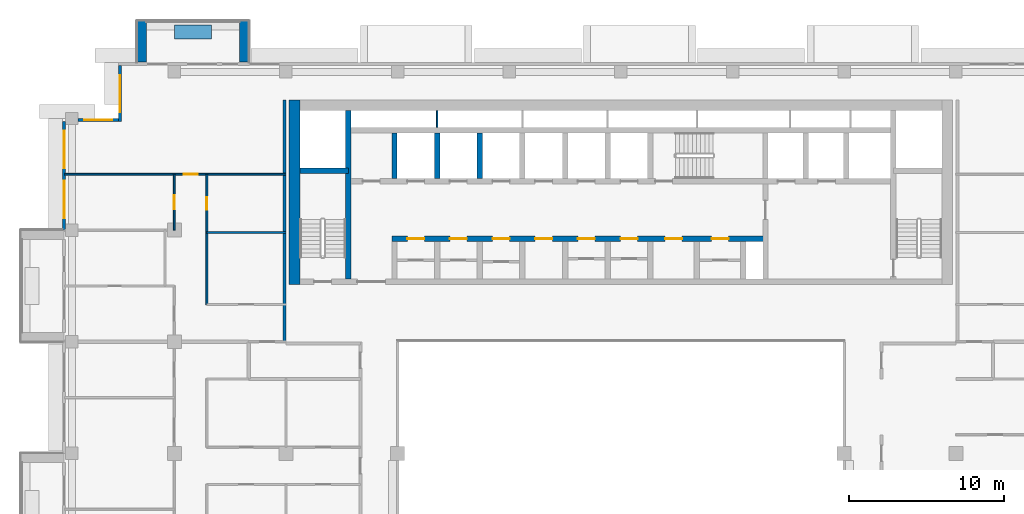
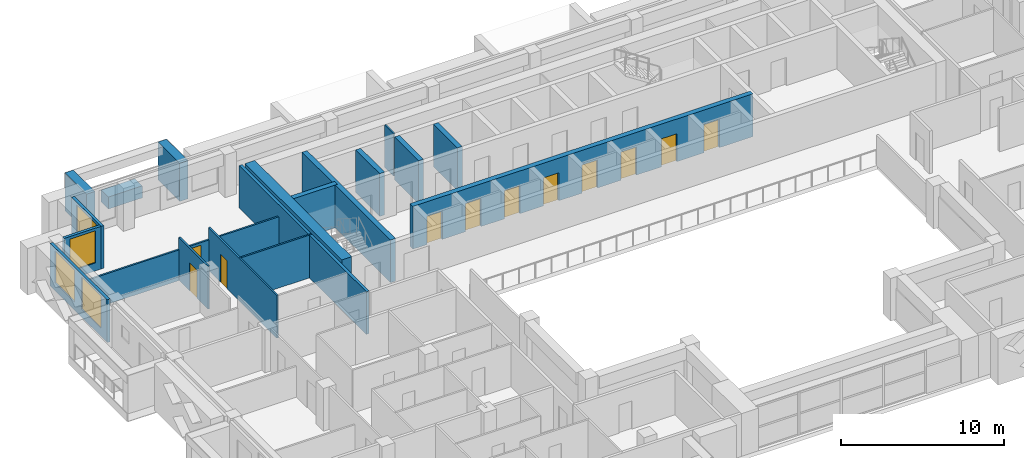
# One storey, part 10 of 20: 19 walls, 11 doors, 4 windows, 15 openings.
"""IFC4 building model written with IfcOpenShell, lengths in metres."""

from ifc_helpers import new_model, si_unit, direction, frame, frame_2d, origin, place, context, subcontext, project, spatial, rectangle, extrude, material, layer, layer_set, type_object, element, fill, save


model = new_model("IFC4")

# Units and contexts
model_context = context("Model", 3, precision=1e-05, world=origin(), true_north=direction((0.0, 1.0)))
body_context = subcontext(model_context, "Body", "Model", "MODEL_VIEW")
ifc_project = project(units=[si_unit("LENGTHUNIT", "METRE"), si_unit("AREAUNIT", "SQUARE_METRE"), si_unit("VOLUMEUNIT", "CUBIC_METRE"), si_unit("PLANEANGLEUNIT", "RADIAN"), si_unit("MASSUNIT", "GRAM", prefix="KILO")], contexts=[model_context])

# Site, building, storey
site_placement = place(None, origin())
site = spatial("IfcSite", under=ifc_project, at=site_placement, CompositionType="ELEMENT")
building_placement = place(site_placement, origin())
building = spatial("IfcBuilding", under=site, at=building_placement, Name="Saffron Iwan Residences", CompositionType="ELEMENT")
storey_placement = place(building_placement, frame((0.0, 0.0, 195.5)))
storey = spatial("IfcBuildingStorey", under=building, at=storey_placement, Name="L52", CompositionType="ELEMENT", Elevation=195.5)

# Walls
ifc_material_1 = material(Name="Concrete C50/60 white painted", Category="concrete")
ifc_layer_1 = layer(ifc_material_1, 0.60009765625)
ifc_layer_set_1 = layer_set([ifc_layer_1], Name="Concrete C50/60 white painted")
wall_type_1 = type_object("IfcWallType", Name="BALCONY FIN 600", PredefinedType="SOLIDWALL", material=ifc_layer_set_1)
for number, where, z_axis, x_axis, name in (
    (1, (26.10009765625, 80.449951171875, 0.0), (0.0, 0.0, 1.0), (0.0, 1.0, 0.0), "Balcony fin L52 F5-3a"),
    (2, (19.5, 80.449951171875, 0.0), (0.0, 0.0, 1.0), (0.0, 1.0, 0.0), "Balcony fin L52 F5-3b"),
):
    element("IfcWall", number, at=place(storey_placement, frame(where, z_axis=z_axis, x_axis=x_axis)), inside=storey, type_object=wall_type_1, Name=name, PredefinedType="SOLIDWALL", context=body_context, shape_type="SweptSolid", body=[
        extrude(rectangle(XDim=2.650146484375, YDim=0.60009765625, at=frame_2d((1.3251953125, 0.0))), origin(), (0.0, 0.0, 1.0), 2.85009765625),
    ])
ifc_material_2 = material(Name="Concrete C35/45 white painted", Category="concrete")
ifc_layer_2 = layer(ifc_material_2, 0.14990234375)
ifc_layer_set_2 = layer_set([ifc_layer_2], Name="Concrete C35/45 white painted")
wall_type_2 = type_object("IfcWallType", Name="BALCONY PLANTER", PredefinedType="SOLIDWALL", material=ifc_layer_set_2)
wall_1_placement = place(storey_placement, frame((24.0, 82.375, 0.0), z_axis=(0.0, 0.0, 1.0), x_axis=(-1.0, 0.0, 0.0)))
element("IfcWall", 3, at=wall_1_placement, inside=storey, type_object=wall_type_2, Name="PLANTER L52 F5-3", PredefinedType="SOLIDWALL", context=body_context, shape_type="SweptSolid", body=[
    extrude(rectangle(XDim=2.39990234375, YDim=0.89990234375, at=frame_2d((1.199951171875, 0.0))), origin(), (0.0, 0.0, 1.0), 0.89990234375),
])

# Wall, opening, window
ifc_material_3 = material(Name="Concrete C40/50", Category="concrete")
ifc_layer_3 = layer(ifc_material_3, 0.199951171875)
ifc_layer_set_3 = layer_set([ifc_layer_3], Name="Concrete C40/50")
wall_type_3 = type_object("IfcWallType", Name="EXTERNAL WALL 200", PredefinedType="SOLIDWALL", material=ifc_layer_set_3)
wall_2_placement = place(storey_placement, frame((18.10009765625, 80.199951171875, 0.0), z_axis=(0.0, 0.0, 1.0), x_axis=(0.0, -1.0, 0.0)))
wall_2 = element("IfcWall", 4, at=wall_2_placement, inside=storey, type_object=wall_type_3, Name="External wall L52 F6.0", PredefinedType="SOLIDWALL", context=body_context, shape_type="SweptSolid", body=[
    extrude(rectangle(XDim=3.599853515625, YDim=0.199951171875, at=frame_2d((1.7998046875, 0.0))), origin(), (0.0, 0.0, 1.0), 3.199951171875),
])
opening_1_placement = place(wall_2_placement, frame((0.60009765625, 0.0, 0.60009765625)))
opening_1 = element("IfcOpeningElement", 5, at=opening_1_placement, cuts=wall_2, Name="Opening W1", PredefinedType="OPENING", context=body_context, shape_type="SweptSolid", body=[
    extrude(rectangle(XDim=2.39990234375, YDim=2.39990234375, at=frame_2d((1.199951171875, 1.199951171875))), frame((0.0, 0.10986328125, 0.0), z_axis=(0.0, -1.0, 0.0), x_axis=(1.0, 0.0, 0.0)), (0.0, 0.0, 1.0), 0.219970703125),
])
ifc_material_4 = material(Name="Clear glass, laminated double glazed", Category="glass")
window_type_1 = type_object("IfcWindowType", Name="WINDOW 2400 x 2400", PartitioningType="DOUBLE_PANEL_VERTICAL", PredefinedType="WINDOW", material=ifc_material_4)
window_1_placement = place(opening_1_placement, origin())
window_1 = element("IfcWindow", 6, at=window_1_placement, inside=storey, type_object=window_type_1, Name="Window L52 F6.0", OverallHeight=2.39990234375, OverallWidth=2.39990234375, PartitioningType="DOUBLE_PANEL_VERTICAL", PredefinedType="WINDOW", context=body_context, shape_type="SweptSolid", body=[
    extrude(rectangle(XDim=2.39990234375, YDim=2.39990234375, at=frame_2d((1.199951171875, 1.199951171875))), frame((0.0, 0.030029296875, 0.0), z_axis=(0.0, -1.0, 0.0), x_axis=(1.0, 0.0, 0.0)), (0.0, 0.0, 1.0), 0.06005859375),
])
fill(opening_1, window_1)

wall_3_placement = place(storey_placement, frame((18.0, 76.699951171875, 0.0), z_axis=(0.0, 0.0, 1.0), x_axis=(-1.0, 0.0, 0.0)))
wall_3 = element("IfcWall", 7, at=wall_3_placement, inside=storey, type_object=wall_type_3, Name="External wall L52 F7.0", PredefinedType="SOLIDWALL", context=body_context, shape_type="SweptSolid", body=[
    extrude(rectangle(XDim=2.60009765625, YDim=0.199951171875, at=frame_2d((1.300048828125, 0.0))), origin(), (0.0, 0.0, 1.0), 3.199951171875),
])
opening_2_placement = place(wall_3_placement, frame((0.39990234375, 0.0, 0.60009765625)))
opening_2 = element("IfcOpeningElement", 8, at=opening_2_placement, cuts=wall_3, Name="Opening W8", PredefinedType="OPENING", context=body_context, shape_type="SweptSolid", body=[
    extrude(rectangle(XDim=1.800048828125, YDim=2.39990234375, at=frame_2d((0.89990234375, 1.199951171875))), frame((0.0, 0.10986328125, 0.0), z_axis=(0.0, -1.0, 0.0), x_axis=(1.0, 0.0, 0.0)), (0.0, 0.0, 1.0), 0.219970703125),
])
window_type_2 = type_object("IfcWindowType", Name="WINDOW 1800 x 2400", PartitioningType="DOUBLE_PANEL_VERTICAL", PredefinedType="WINDOW", material=ifc_material_4)
window_2_placement = place(opening_2_placement, origin())
window_2 = element("IfcWindow", 9, at=window_2_placement, inside=storey, type_object=window_type_2, Name="Window L52 F7.0", OverallHeight=2.39990234375, OverallWidth=1.800048828125, PartitioningType="DOUBLE_PANEL_VERTICAL", PredefinedType="WINDOW", context=body_context, shape_type="SweptSolid", body=[
    extrude(rectangle(XDim=1.800048828125, YDim=2.39990234375, at=frame_2d((0.89990234375, 1.199951171875))), frame((0.0, 0.030029296875, 0.0), z_axis=(0.0, -1.0, 0.0), x_axis=(1.0, 0.0, 0.0)), (0.0, 0.0, 1.0), 0.06005859375),
])
fill(opening_2, window_2)

# Wall, openings, windows
wall_4_placement = place(storey_placement, frame((14.5, 76.60009765625, 0.0), z_axis=(0.0, 0.0, 1.0), x_axis=(0.0, -1.0, 0.0)))
wall_4 = element("IfcWall", 10, at=wall_4_placement, inside=storey, type_object=wall_type_3, Name="External wall L52 F8.0", PredefinedType="SOLIDWALL", context=body_context, shape_type="SweptSolid", body=[
    extrude(rectangle(XDim=7.0, YDim=0.199951171875, at=frame_2d((3.5, 0.0))), origin(), (0.0, 0.0, 1.0), 3.199951171875),
])
opening_3_placement = place(wall_4_placement, frame((3.824951171875, 0.0, 0.60009765625)))
opening_3 = element("IfcOpeningElement", 11, at=opening_3_placement, cuts=wall_4, Name="Opening W1", PredefinedType="OPENING", context=body_context, shape_type="SweptSolid", body=[
    extrude(rectangle(XDim=2.39990234375, YDim=2.39990234375, at=frame_2d((1.199951171875, 1.199951171875))), frame((0.0, 0.10986328125, 0.0), z_axis=(0.0, -1.0, 0.0), x_axis=(1.0, 0.0, 0.0)), (0.0, 0.0, 1.0), 0.219970703125),
])
opening_4_placement = place(wall_4_placement, frame((0.60009765625, 0.0, 0.60009765625)))
opening_4 = element("IfcOpeningElement", 12, at=opening_4_placement, cuts=wall_4, Name="Opening W1", PredefinedType="OPENING", context=body_context, shape_type="SweptSolid", body=[
    extrude(rectangle(XDim=2.39990234375, YDim=2.39990234375, at=frame_2d((1.199951171875, 1.199951171875))), frame((0.0, 0.10986328125, 0.0), z_axis=(0.0, -1.0, 0.0), x_axis=(1.0, 0.0, 0.0)), (0.0, 0.0, 1.0), 0.219970703125),
])
window_3_placement = place(opening_3_placement, origin())
window_3 = element("IfcWindow", 13, at=window_3_placement, inside=storey, type_object=window_type_1, Name="Window L52 F8.0", OverallHeight=2.39990234375, OverallWidth=2.39990234375, PartitioningType="DOUBLE_PANEL_VERTICAL", PredefinedType="WINDOW", context=body_context, shape_type="SweptSolid", body=[
    extrude(rectangle(XDim=2.39990234375, YDim=2.39990234375, at=frame_2d((1.199951171875, 1.199951171875))), frame((0.0, 0.030029296875, 0.0), z_axis=(0.0, -1.0, 0.0), x_axis=(1.0, 0.0, 0.0)), (0.0, 0.0, 1.0), 0.06005859375),
])
fill(opening_3, window_3)
window_4_placement = place(opening_4_placement, origin())
window_4 = element("IfcWindow", 14, at=window_4_placement, inside=storey, type_object=window_type_1, Name="Window L52 F8.1", OverallHeight=2.39990234375, OverallWidth=2.39990234375, PartitioningType="DOUBLE_PANEL_VERTICAL", PredefinedType="WINDOW", context=body_context, shape_type="SweptSolid", body=[
    extrude(rectangle(XDim=2.39990234375, YDim=2.39990234375, at=frame_2d((1.199951171875, 1.199951171875))), frame((0.0, 0.030029296875, 0.0), z_axis=(0.0, -1.0, 0.0), x_axis=(1.0, 0.0, 0.0)), (0.0, 0.0, 1.0), 0.06005859375),
])
fill(opening_4, window_4)

# Wall
ifc_material_5 = material(Name="Gypsum board partition")
ifc_layer_4 = layer(ifc_material_5, 0.1201171875)
ifc_layer_set_4 = layer_set([ifc_layer_4], Name="Gypsum board partition")
wall_type_4 = type_object("IfcWallType", Name="Flat partition 120", PredefinedType="PARTITIONING", material=ifc_layer_set_4)
wall_5_placement = place(storey_placement, frame((23.699951171875, 69.449951171875, 0.0), z_axis=(0.0, 0.0, 1.0), x_axis=(1.0, 0.0, 0.0)))
element("IfcWall", 15, at=wall_5_placement, inside=storey, type_object=wall_type_4, Name="W-L52-PART-h69.45-23.7", PredefinedType="PARTITIONING", context=body_context, shape_type="SweptSolid", body=[
    extrude(rectangle(XDim=5.10009765625, YDim=0.1201171875, at=frame_2d((2.550048828125, 0.0))), origin(), (0.0, 0.0, 1.0), 3.199951171875),
])

# Wall, opening, door
wall_6_placement = place(storey_placement, frame((14.52490234375, 73.199951171875, 0.0), z_axis=(0.0, 0.0, 1.0), x_axis=(1.0, 0.0, 0.0)))
wall_6 = element("IfcWall", 16, at=wall_6_placement, inside=storey, type_object=wall_type_4, Name="W-L52-PART-h73.2-14.525", PredefinedType="PARTITIONING", context=body_context, shape_type="SweptSolid", body=[
    extrude(rectangle(XDim=14.275146484375, YDim=0.1201171875, at=frame_2d((7.1376953125, 0.0))), origin(), (0.0, 0.0, 1.0), 2.300048828125),
])
opening_5_placement = place(wall_6_placement, frame((7.675048828125, 0.0, 0.0)))
opening_5 = element("IfcOpeningElement", 17, at=opening_5_placement, cuts=wall_6, Name="Opening FD2", PredefinedType="OPENING", context=body_context, shape_type="SweptSolid", body=[
    extrude(rectangle(XDim=0.89990234375, YDim=2.10009765625, at=frame_2d((0.449951171875, 1.050048828125))), frame((0.0, 0.070068359375, 0.0), z_axis=(0.0, -1.0, 0.0), x_axis=(1.0, 0.0, 0.0)), (0.0, 0.0, 1.0), 0.14013671875),
])
ifc_material_6 = material(Name="Timber door", Category="wood")
door_type_1 = type_object("IfcDoorType", Name="Flat door 900", OperationType="NOTDEFINED", PredefinedType="DOOR", material=ifc_material_6)
door_1_placement = place(opening_5_placement, origin())
door_1 = element("IfcDoor", 18, at=door_1_placement, inside=storey, type_object=door_type_1, Name="Door L52-029", OperationType="SINGLE_SWING_LEFT", OverallHeight=2.10009765625, OverallWidth=0.89990234375, PredefinedType="DOOR", context=body_context, shape_type="SweptSolid", body=[
    extrude(rectangle(XDim=0.89990234375, YDim=2.10009765625, at=frame_2d((0.449951171875, 1.050048828125))), frame((0.0, 0.02490234375, 0.0), z_axis=(0.0, -1.0, 0.0), x_axis=(1.0, 0.0, 0.0)), (0.0, 0.0, 1.0), 0.050048828125),
])
fill(opening_5, door_1)

wall_7_placement = place(storey_placement, frame((21.60009765625, 69.60009765625, 0.0), z_axis=(0.0, 0.0, 1.0), x_axis=(0.0, 1.0, 0.0)))
wall_7 = element("IfcWall", 19, at=wall_7_placement, inside=storey, type_object=wall_type_4, Name="W-L52-PART-v21.6-69.6", PredefinedType="PARTITIONING", context=body_context, shape_type="SweptSolid", body=[
    extrude(rectangle(XDim=3.599853515625, YDim=0.1201171875, at=frame_2d((1.7998046875, 0.0))), origin(), (0.0, 0.0, 1.0), 3.199951171875),
])
opening_6_placement = place(wall_7_placement, frame((1.35009765625, 0.0, 0.0)))
opening_6 = element("IfcOpeningElement", 20, at=opening_6_placement, cuts=wall_7, Name="Opening FD2", PredefinedType="OPENING", context=body_context, shape_type="SweptSolid", body=[
    extrude(rectangle(XDim=0.89990234375, YDim=2.10009765625, at=frame_2d((0.449951171875, 1.050048828125))), frame((0.0, 0.070068359375, 0.0), z_axis=(0.0, -1.0, 0.0), x_axis=(1.0, 0.0, 0.0)), (0.0, 0.0, 1.0), 0.14013671875),
])
door_2_placement = place(opening_6_placement, origin())
door_2 = element("IfcDoor", 21, at=door_2_placement, inside=storey, type_object=door_type_1, Name="Door L52-028", OperationType="SINGLE_SWING_LEFT", OverallHeight=2.10009765625, OverallWidth=0.89990234375, PredefinedType="DOOR", context=body_context, shape_type="SweptSolid", body=[
    extrude(rectangle(XDim=0.89990234375, YDim=2.10009765625, at=frame_2d((0.449951171875, 1.050048828125))), frame((0.0, 0.02490234375, 0.0), z_axis=(0.0, -1.0, 0.0), x_axis=(1.0, 0.0, 0.0)), (0.0, 0.0, 1.0), 0.050048828125),
])
fill(opening_6, door_2)

wall_8_placement = place(storey_placement, frame((23.699951171875, 64.800048828125, 0.0), z_axis=(0.0, 0.0, 1.0), x_axis=(0.0, 1.0, 0.0)))
wall_8 = element("IfcWall", 22, at=wall_8_placement, inside=storey, type_object=wall_type_4, Name="W-L52-PART-v23.7-64.8", PredefinedType="PARTITIONING", context=body_context, shape_type="SweptSolid", body=[
    extrude(rectangle(XDim=8.39990234375, YDim=0.1201171875, at=frame_2d((4.199951171875, 0.0))), origin(), (0.0, 0.0, 1.0), 3.199951171875),
])
opening_7_placement = place(wall_8_placement, frame((6.125, 0.0, 0.0)))
opening_7 = element("IfcOpeningElement", 23, at=opening_7_placement, cuts=wall_8, Name="Opening FD3", PredefinedType="OPENING", context=body_context, shape_type="SweptSolid", body=[
    extrude(rectangle(XDim=0.800048828125, YDim=2.10009765625, at=frame_2d((0.39990234375, 1.050048828125))), frame((0.0, 0.070068359375, 0.0), z_axis=(0.0, -1.0, 0.0), x_axis=(1.0, 0.0, 0.0)), (0.0, 0.0, 1.0), 0.14013671875),
])
door_type_2 = type_object("IfcDoorType", Name="Bathroom door 800", OperationType="NOTDEFINED", PredefinedType="DOOR", material=ifc_material_6)
door_3_placement = place(opening_7_placement, origin())
door_3 = element("IfcDoor", 24, at=door_3_placement, inside=storey, type_object=door_type_2, Name="Door L52-031", OperationType="SINGLE_SWING_LEFT", OverallHeight=2.10009765625, OverallWidth=0.800048828125, PredefinedType="DOOR", context=body_context, shape_type="SweptSolid", body=[
    extrude(rectangle(XDim=0.800048828125, YDim=2.10009765625, at=frame_2d((0.39990234375, 1.050048828125))), frame((0.0, 0.02490234375, 0.0), z_axis=(0.0, -1.0, 0.0), x_axis=(1.0, 0.0, 0.0)), (0.0, 0.0, 1.0), 0.050048828125),
])
fill(opening_7, door_3)

# Walls
ifc_material_7 = material(Name="Fire-rated gypsum board wall")
ifc_layer_5 = layer(ifc_material_7, 0.199951171875)
ifc_layer_set_5 = layer_set([ifc_layer_5], Name="Fire-rated gypsum board wall")
wall_type_5 = type_object("IfcWallType", Name="Gallery wall 200", PredefinedType="SOLIDWALL", material=ifc_layer_set_5)
wall_9_placement = place(storey_placement, frame((28.699951171875, 62.39990234375, 0.0), z_axis=(0.0, 0.0, 1.0), x_axis=(0.0, 1.0, 0.0)))
element("IfcWall", 25, at=wall_9_placement, inside=storey, type_object=wall_type_5, Name="W-L52-CORR-v28.8-62.4", PredefinedType="SOLIDWALL", context=body_context, shape_type="SweptSolid", body=[
    extrude(rectangle(XDim=15.60009765625, YDim=0.199951171875, at=frame_2d((7.800048828125, 0.0))), origin(), (0.0, 0.0, 1.0), 3.199951171875),
])
ifc_material_8 = material(Name="Fire-rated plasterboard partition")
ifc_layer_6 = layer(ifc_material_8, 0.10009765625)
ifc_layer_set_6 = layer_set([ifc_layer_6], Name="Fire-rated plasterboard partition")
wall_type_6 = type_object("IfcWallType", Name="Riser partition 100", PredefinedType="PARTITIONING", material=ifc_layer_set_6)
wall_10_placement = place(storey_placement, frame((38.550048828125, 76.22509765625, 0.0), z_axis=(0.0, 0.0, 1.0), x_axis=(0.0, 1.0, 0.0)))
element("IfcWall", 26, at=wall_10_placement, inside=storey, type_object=wall_type_6, Name="Core partition P07", PredefinedType="PARTITIONING", context=body_context, shape_type="SweptSolid", body=[
    extrude(rectangle(XDim=1.074951171875, YDim=0.10009765625, at=frame_2d((0.53759765625, 0.0))), origin(), (0.0, 0.0, 1.0), 3.199951171875),
])

# Wall, openings, doors
ifc_material_9 = material(Name="Concrete C50/60", Category="concrete")
ifc_layer_7 = layer(ifc_material_9, 0.35009765625)
ifc_layer_set_7 = layer_set([ifc_layer_7], Name="Concrete C50/60")
wall_type_7 = type_object("IfcWallType", Name="WALL CORE 350 C50/60 3200 HIGH", PredefinedType="SHEAR", material=ifc_layer_set_7)
wall_11_placement = place(storey_placement, frame((35.625, 69.050048828125, 0.0), z_axis=(0.0, 0.0, 1.0), x_axis=(1.0, 0.0, 0.0)))
wall_11 = element("IfcWall", 27, at=wall_11_placement, inside=storey, type_object=wall_type_7, Name="Core wall", PredefinedType="SHEAR", context=body_context, shape_type="SweptSolid", body=[
    extrude(rectangle(XDim=24.10009765625, YDim=0.35009765625, at=frame_2d((12.050048828125, 0.0))), origin(), (0.0, 0.0, 1.0), 3.199951171875),
])
opening_8_placement = place(wall_11_placement, frame((1.0, 0.0, 0.0)))
opening_8 = element("IfcOpeningElement", 28, at=opening_8_placement, cuts=wall_11, Name="Opening SR", PredefinedType="OPENING", context=body_context, shape_type="SweptSolid", body=[
    extrude(rectangle(XDim=1.10009765625, YDim=2.10009765625, at=frame_2d((0.550048828125, 1.050048828125))), frame((0.0, 0.18505859375, 0.0), z_axis=(0.0, -1.0, 0.0), x_axis=(1.0, 0.0, 0.0)), (0.0, 0.0, 1.0), 0.3701171875),
])
opening_9_placement = place(wall_11_placement, frame((3.75, 0.0, 0.0)))
opening_9 = element("IfcOpeningElement", 29, at=opening_9_placement, cuts=wall_11, Name="Opening SR", PredefinedType="OPENING", context=body_context, shape_type="SweptSolid", body=[
    extrude(rectangle(XDim=1.10009765625, YDim=2.10009765625, at=frame_2d((0.550048828125, 1.050048828125))), frame((0.0, 0.18505859375, 0.0), z_axis=(0.0, -1.0, 0.0), x_axis=(1.0, 0.0, 0.0)), (0.0, 0.0, 1.0), 0.3701171875),
])
opening_10_placement = place(wall_11_placement, frame((6.5, 0.0, 0.0)))
opening_10 = element("IfcOpeningElement", 30, at=opening_10_placement, cuts=wall_11, Name="Opening SR", PredefinedType="OPENING", context=body_context, shape_type="SweptSolid", body=[
    extrude(rectangle(XDim=1.10009765625, YDim=2.10009765625, at=frame_2d((0.550048828125, 1.050048828125))), frame((0.0, 0.18505859375, 0.0), z_axis=(0.0, -1.0, 0.0), x_axis=(1.0, 0.0, 0.0)), (0.0, 0.0, 1.0), 0.3701171875),
])
opening_11_placement = place(wall_11_placement, frame((9.25, 0.0, 0.0)))
opening_11 = element("IfcOpeningElement", 31, at=opening_11_placement, cuts=wall_11, Name="Opening SR", PredefinedType="OPENING", context=body_context, shape_type="SweptSolid", body=[
    extrude(rectangle(XDim=1.10009765625, YDim=2.10009765625, at=frame_2d((0.550048828125, 1.050048828125))), frame((0.0, 0.18505859375, 0.0), z_axis=(0.0, -1.0, 0.0), x_axis=(1.0, 0.0, 0.0)), (0.0, 0.0, 1.0), 0.3701171875),
])
opening_12_placement = place(wall_11_placement, frame((12.0, 0.0, 0.0)))
opening_12 = element("IfcOpeningElement", 32, at=opening_12_placement, cuts=wall_11, Name="Opening SR", PredefinedType="OPENING", context=body_context, shape_type="SweptSolid", body=[
    extrude(rectangle(XDim=1.10009765625, YDim=2.10009765625, at=frame_2d((0.550048828125, 1.050048828125))), frame((0.0, 0.18505859375, 0.0), z_axis=(0.0, -1.0, 0.0), x_axis=(1.0, 0.0, 0.0)), (0.0, 0.0, 1.0), 0.3701171875),
])
opening_13_placement = place(wall_11_placement, frame((14.75, 0.0, 0.0)))
opening_13 = element("IfcOpeningElement", 33, at=opening_13_placement, cuts=wall_11, Name="Opening SR", PredefinedType="OPENING", context=body_context, shape_type="SweptSolid", body=[
    extrude(rectangle(XDim=1.10009765625, YDim=2.10009765625, at=frame_2d((0.550048828125, 1.050048828125))), frame((0.0, 0.18505859375, 0.0), z_axis=(0.0, -1.0, 0.0), x_axis=(1.0, 0.0, 0.0)), (0.0, 0.0, 1.0), 0.3701171875),
])
opening_14_placement = place(wall_11_placement, frame((17.625, 0.0, 0.0)))
opening_14 = element("IfcOpeningElement", 34, at=opening_14_placement, cuts=wall_11, Name="Opening SR", PredefinedType="OPENING", context=body_context, shape_type="SweptSolid", body=[
    extrude(rectangle(XDim=1.10009765625, YDim=2.10009765625, at=frame_2d((0.550048828125, 1.050048828125))), frame((0.0, 0.18505859375, 0.0), z_axis=(0.0, -1.0, 0.0), x_axis=(1.0, 0.0, 0.0)), (0.0, 0.0, 1.0), 0.3701171875),
])
opening_15_placement = place(wall_11_placement, frame((20.625, 0.0, 0.0)))
opening_15 = element("IfcOpeningElement", 35, at=opening_15_placement, cuts=wall_11, Name="Opening SR", PredefinedType="OPENING", context=body_context, shape_type="SweptSolid", body=[
    extrude(rectangle(XDim=1.10009765625, YDim=2.10009765625, at=frame_2d((0.550048828125, 1.050048828125))), frame((0.0, 0.18505859375, 0.0), z_axis=(0.0, -1.0, 0.0), x_axis=(1.0, 0.0, 0.0)), (0.0, 0.0, 1.0), 0.3701171875),
])
ifc_material_10 = material(Name="Steel fire door", Category="steel")
door_type_3 = type_object("IfcDoorType", Name="Service door 1100", OperationType="NOTDEFINED", PredefinedType="DOOR", material=ifc_material_10)
door_4_placement = place(opening_8_placement, origin())
door_4 = element("IfcDoor", 36, at=door_4_placement, inside=storey, type_object=door_type_3, Name="Door Pantry", OperationType="SINGLE_SWING_RIGHT", OverallHeight=2.10009765625, OverallWidth=1.10009765625, PredefinedType="DOOR", context=body_context, shape_type="SweptSolid", body=[
    extrude(rectangle(XDim=1.10009765625, YDim=2.10009765625, at=frame_2d((0.550048828125, 1.050048828125))), frame((0.0, 0.02490234375, 0.0), z_axis=(0.0, -1.0, 0.0), x_axis=(1.0, 0.0, 0.0)), (0.0, 0.0, 1.0), 0.050048828125),
])
fill(opening_8, door_4)
door_5_placement = place(opening_9_placement, origin())
door_5 = element("IfcDoor", 37, at=door_5_placement, inside=storey, type_object=door_type_3, Name="Door Electrical room", OperationType="SINGLE_SWING_LEFT", OverallHeight=2.10009765625, OverallWidth=1.10009765625, PredefinedType="DOOR", context=body_context, shape_type="SweptSolid", body=[
    extrude(rectangle(XDim=1.10009765625, YDim=2.10009765625, at=frame_2d((0.550048828125, 1.050048828125))), frame((0.0, 0.02490234375, 0.0), z_axis=(0.0, -1.0, 0.0), x_axis=(1.0, 0.0, 0.0)), (0.0, 0.0, 1.0), 0.050048828125),
])
fill(opening_9, door_5)
door_6_placement = place(opening_10_placement, origin())
door_6 = element("IfcDoor", 38, at=door_6_placement, inside=storey, type_object=door_type_3, Name="Door Luggage store", OperationType="SINGLE_SWING_RIGHT", OverallHeight=2.10009765625, OverallWidth=1.10009765625, PredefinedType="DOOR", context=body_context, shape_type="SweptSolid", body=[
    extrude(rectangle(XDim=1.10009765625, YDim=2.10009765625, at=frame_2d((0.550048828125, 1.050048828125))), frame((0.0, 0.02490234375, 0.0), z_axis=(0.0, -1.0, 0.0), x_axis=(1.0, 0.0, 0.0)), (0.0, 0.0, 1.0), 0.050048828125),
])
fill(opening_10, door_6)
door_7_placement = place(opening_11_placement, origin())
door_7 = element("IfcDoor", 39, at=door_7_placement, inside=storey, type_object=door_type_3, Name="Door Refuse store", OperationType="SINGLE_SWING_LEFT", OverallHeight=2.10009765625, OverallWidth=1.10009765625, PredefinedType="DOOR", context=body_context, shape_type="SweptSolid", body=[
    extrude(rectangle(XDim=1.10009765625, YDim=2.10009765625, at=frame_2d((0.550048828125, 1.050048828125))), frame((0.0, 0.02490234375, 0.0), z_axis=(0.0, -1.0, 0.0), x_axis=(1.0, 0.0, 0.0)), (0.0, 0.0, 1.0), 0.050048828125),
])
fill(opening_11, door_7)
door_8_placement = place(opening_12_placement, origin())
door_8 = element("IfcDoor", 40, at=door_8_placement, inside=storey, type_object=door_type_3, Name="Door Maintenance store", OperationType="SINGLE_SWING_RIGHT", OverallHeight=2.10009765625, OverallWidth=1.10009765625, PredefinedType="DOOR", context=body_context, shape_type="SweptSolid", body=[
    extrude(rectangle(XDim=1.10009765625, YDim=2.10009765625, at=frame_2d((0.550048828125, 1.050048828125))), frame((0.0, 0.02490234375, 0.0), z_axis=(0.0, -1.0, 0.0), x_axis=(1.0, 0.0, 0.0)), (0.0, 0.0, 1.0), 0.050048828125),
])
fill(opening_12, door_8)
door_9_placement = place(opening_13_placement, origin())
door_9 = element("IfcDoor", 41, at=door_9_placement, inside=storey, type_object=door_type_3, Name="Door Linen store", OperationType="SINGLE_SWING_LEFT", OverallHeight=2.10009765625, OverallWidth=1.10009765625, PredefinedType="DOOR", context=body_context, shape_type="SweptSolid", body=[
    extrude(rectangle(XDim=1.10009765625, YDim=2.10009765625, at=frame_2d((0.550048828125, 1.050048828125))), frame((0.0, 0.02490234375, 0.0), z_axis=(0.0, -1.0, 0.0), x_axis=(1.0, 0.0, 0.0)), (0.0, 0.0, 1.0), 0.050048828125),
])
fill(opening_13, door_9)
door_10_placement = place(opening_14_placement, origin())
door_10 = element("IfcDoor", 42, at=door_10_placement, inside=storey, type_object=door_type_3, Name="Door Trolley store", OperationType="SINGLE_SWING_RIGHT", OverallHeight=2.10009765625, OverallWidth=1.10009765625, PredefinedType="DOOR", context=body_context, shape_type="SweptSolid", body=[
    extrude(rectangle(XDim=1.10009765625, YDim=2.10009765625, at=frame_2d((0.550048828125, 1.050048828125))), frame((0.0, 0.02490234375, 0.0), z_axis=(0.0, -1.0, 0.0), x_axis=(1.0, 0.0, 0.0)), (0.0, 0.0, 1.0), 0.050048828125),
])
fill(opening_14, door_10)
door_11_placement = place(opening_15_placement, origin())
door_11 = element("IfcDoor", 43, at=door_11_placement, inside=storey, type_object=door_type_3, Name="Door Communications room", OperationType="SINGLE_SWING_RIGHT", OverallHeight=2.10009765625, OverallWidth=1.10009765625, PredefinedType="DOOR", context=body_context, shape_type="SweptSolid", body=[
    extrude(rectangle(XDim=1.10009765625, YDim=2.10009765625, at=frame_2d((0.550048828125, 1.050048828125))), frame((0.0, 0.02490234375, 0.0), z_axis=(0.0, -1.0, 0.0), x_axis=(1.0, 0.0, 0.0)), (0.0, 0.0, 1.0), 0.050048828125),
])
fill(opening_15, door_11)

# Walls
wall_12_placement = place(storey_placement, frame((29.699951171875, 73.425048828125, 0.0), z_axis=(0.0, 0.0, 1.0), x_axis=(1.0, 0.0, 0.0)))
element("IfcWall", 44, at=wall_12_placement, inside=storey, type_object=wall_type_7, Name="Core wall", PredefinedType="SHEAR", context=body_context, shape_type="SweptSolid", body=[
    extrude(rectangle(XDim=3.125, YDim=0.35009765625, at=frame_2d((1.5625, 0.0))), origin(), (0.0, 0.0, 1.0), 3.199951171875),
])
wall_13_placement = place(storey_placement, frame((32.824951171875, 66.449951171875, 0.0), z_axis=(0.0, 0.0, 1.0), x_axis=(0.0, 1.0, 0.0)))
element("IfcWall", 45, at=wall_13_placement, inside=storey, type_object=wall_type_7, Name="Core wall", PredefinedType="SHEAR", context=body_context, shape_type="SweptSolid", body=[
    extrude(rectangle(XDim=10.85009765625, YDim=0.35009765625, at=frame_2d((5.425048828125, 0.0))), origin(), (0.0, 0.0, 1.0), 3.199951171875),
])
for number, where, z_axis, x_axis, name in (
    (46, (35.800048828125, 72.925048828125, 0.0), (0.0, 0.0, 1.0), (0.0, 1.0, 0.0), "Core wall"),
    (47, (38.550048828125, 72.925048828125, 0.0), (0.0, 0.0, 1.0), (0.0, 1.0, 0.0), "Core wall"),
    (48, (41.300048828125, 72.925048828125, 0.0), (0.0, 0.0, 1.0), (0.0, 1.0, 0.0), "Core wall"),
):
    element("IfcWall", number, at=place(storey_placement, frame(where, z_axis=z_axis, x_axis=x_axis)), inside=storey, type_object=wall_type_7, Name=name, PredefinedType="SHEAR", context=body_context, shape_type="SweptSolid", body=[
        extrude(rectangle(XDim=2.949951171875, YDim=0.35009765625, at=frame_2d((1.47509765625, 0.0))), origin(), (0.0, 0.0, 1.0), 3.199951171875),
    ])
ifc_layer_8 = layer(ifc_material_9, 0.699951171875)
ifc_layer_set_8 = layer_set([ifc_layer_8], Name="Concrete C50/60")
wall_type_8 = type_object("IfcWallType", Name="WALL CORE 700 C50/60 3200 HIGH", PredefinedType="SHEAR", material=ifc_layer_set_8)
wall_14_placement = place(storey_placement, frame((29.35009765625, 66.10009765625, 0.0), z_axis=(0.0, 0.0, 1.0), x_axis=(0.0, 1.0, 0.0)))
element("IfcWall", 49, at=wall_14_placement, inside=storey, type_object=wall_type_8, Name="Core wall", PredefinedType="SHEAR", context=body_context, shape_type="SweptSolid", body=[
    extrude(rectangle(XDim=11.89990234375, YDim=0.699951171875, at=frame_2d((5.949951171875, 0.0))), origin(), (0.0, 0.0, 1.0), 3.199951171875),
])

save(model, "model.ifc")
